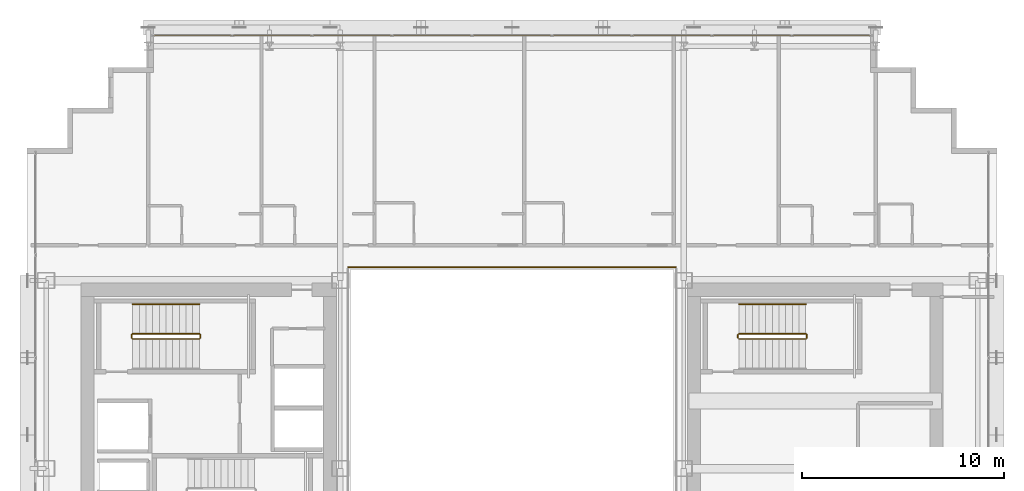
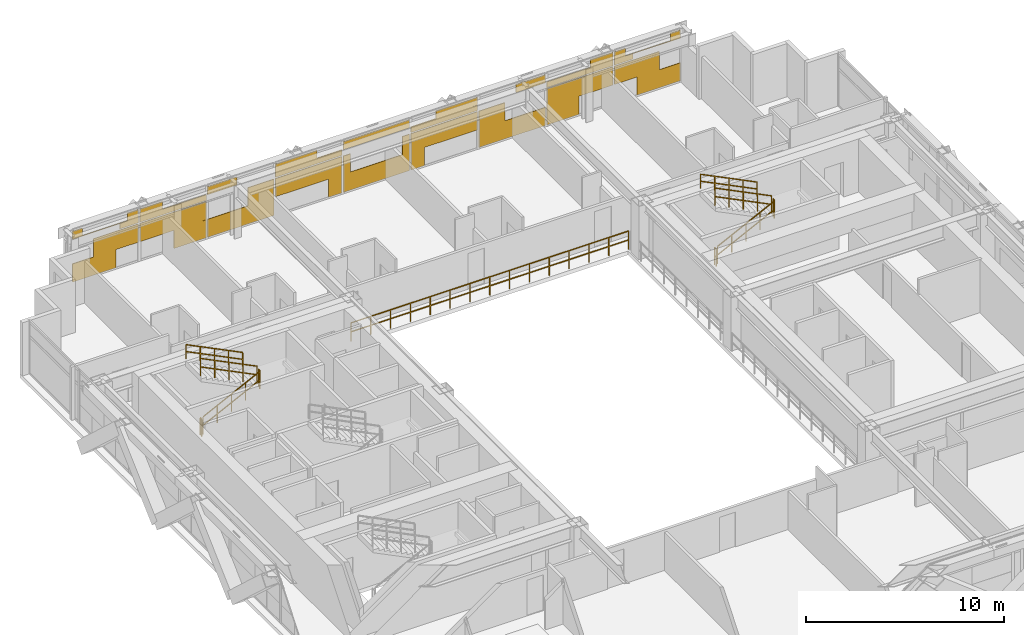
# One storey, part 36 of 36: 11 railings, 1 covering.
"""IFC4 building model written with IfcOpenShell, lengths in metres."""

from ifc_helpers import new_model, si_unit, direction, frame, origin, origin_2d, place, context, subcontext, project, spatial, rectangle, extrude, material, layer, layer_set, type_object, element, save


model = new_model("IFC4")

# Units and contexts
model_context = context("Model", 3, precision=1e-05, world=origin(), true_north=direction((0.0, 1.0)))
body_context = subcontext(model_context, "Body", "Model", "MODEL_VIEW")
ifc_project = project(units=[si_unit("LENGTHUNIT", "METRE"), si_unit("AREAUNIT", "SQUARE_METRE"), si_unit("VOLUMEUNIT", "CUBIC_METRE"), si_unit("PLANEANGLEUNIT", "RADIAN"), si_unit("MASSUNIT", "GRAM", prefix="KILO")], contexts=[model_context])

# Site, building, storey
site_placement = place(None, origin())
site = spatial("IfcSite", under=ifc_project, at=site_placement, CompositionType="ELEMENT")
building_placement = place(site_placement, origin())
building = spatial("IfcBuilding", under=site, at=building_placement, Name="Ocotamira Hotel", CompositionType="ELEMENT")
storey_placement = place(building_placement, frame((0.0, 0.0, 147.60009765625)))
storey = spatial("IfcBuildingStorey", under=building, at=storey_placement, Name="L37", CompositionType="ELEMENT", Elevation=147.60009765625)

# Covering
ifc_material_1 = material(Name="Insulated pale-metal aluminium spandrel panel", Category="aluminium")
ifc_layer = layer(ifc_material_1, 0.044921875)
ifc_layer_set = layer_set([ifc_layer], Name="Insulated pale-metal aluminium spandrel panel")
covering_type = type_object("IfcCoveringType", Name="COV-INFILL-45", PredefinedType="CLADDING", material=ifc_layer_set)
covering_placement = place(storey_placement, origin())
element("IfcCovering", 1, at=covering_placement, inside=storey, type_object=covering_type, Name="L37 Curtain Wall Infill CW-3 CW-L37-N", PredefinedType="CLADDING", context=body_context, shape_type="SweptSolid", body=[
    extrude(rectangle(XDim=2.520751953125, YDim=0.044921875, at=origin_2d()), frame((15.541015625, 49.580078125, 0.075439453125), z_axis=(0.0, 0.0, 1.0), x_axis=(1.0, 0.0, 0.0)), (0.0, 0.0, 1.0), 1.11767578125),
    extrude(rectangle(XDim=2.611328125, YDim=0.044921875, at=origin_2d()), frame((16.809326171875, 49.580078125, 1.19384765625), z_axis=(0.0, 0.0, 1.0), x_axis=(1.0, 0.0, 0.0)), (0.0, 0.0, 1.0), 1.117919921875),
    extrude(rectangle(XDim=3.834716796875, YDim=0.044921875, at=origin_2d()), frame((16.19775390625, 49.580078125, 2.703125), z_axis=(0.0, 0.0, 1.0), x_axis=(1.0, 0.0, 0.0)), (0.0, 0.0, 1.0), 0.026611328125),
    extrude(rectangle(XDim=0.57470703125, YDim=0.044921875, at=origin_2d()), frame((14.56787109375, 49.580078125, 2.730712890625), z_axis=(0.0, 0.0, 1.0), x_axis=(1.0, 0.0, 0.0)), (0.0, 0.0, 1.0), 0.4736328125),
    extrude(rectangle(XDim=1.085205078125, YDim=0.044921875, at=origin_2d()), frame((17.572509765625, 49.580078125, 2.3876953125), z_axis=(0.0, 0.0, 1.0), x_axis=(1.0, 0.0, 0.0)), (0.0, 0.0, 1.0), 0.314208984375),
    extrude(rectangle(XDim=0.64697265625, YDim=0.044921875, at=origin_2d()), frame((17.79150390625, 49.580078125, 2.730712890625), z_axis=(0.0, 0.0, 1.0), x_axis=(1.0, 0.0, 0.0)), (0.0, 0.0, 1.0), 0.4736328125),
    extrude(rectangle(XDim=3.87451171875, YDim=0.044921875, at=origin_2d()), frame((20.13330078125, 49.580078125, 1.19384765625), z_axis=(0.0, 0.0, 1.0), x_axis=(1.0, 0.0, 0.0)), (0.0, 0.0, 1.0), 1.117919921875),
    extrude(rectangle(XDim=1.871826171875, YDim=0.044921875, at=origin_2d()), frame((21.134765625, 49.580078125, 0.075439453125), z_axis=(0.0, 0.0, 1.0), x_axis=(1.0, 0.0, 0.0)), (0.0, 0.0, 1.0), 1.11767578125),
    extrude(rectangle(XDim=3.87451171875, YDim=0.044921875, at=origin_2d()), frame((20.13330078125, 49.580078125, 2.387939453125), z_axis=(0.0, 0.0, 1.0), x_axis=(1.0, 0.0, 0.0)), (0.0, 0.0, 1.0), 0.341796875),
    extrude(rectangle(XDim=1.335693359375, YDim=0.044921875, at=origin_2d()), frame((18.864013671875, 49.580078125, 2.730712890625), z_axis=(0.0, 0.0, 1.0), x_axis=(1.0, 0.0, 0.0)), (0.0, 0.0, 1.0), 0.4736328125),
    extrude(rectangle(XDim=3.87451171875, YDim=0.044921875, at=origin_2d()), frame((24.0888671875, 49.580078125, 0.075439453125), z_axis=(0.0, 0.0, 1.0), x_axis=(1.0, 0.0, 0.0)), (0.0, 0.0, 1.0), 1.11767578125),
    extrude(rectangle(XDim=1.5224609375, YDim=0.044921875, at=origin_2d()), frame((25.264892578125, 49.580078125, 1.19384765625), z_axis=(0.0, 0.0, 1.0), x_axis=(1.0, 0.0, 0.0)), (0.0, 0.0, 1.0), 1.117919921875),
    extrude(rectangle(XDim=1.70361328125, YDim=0.044921875, at=origin_2d()), frame((23.00341796875, 49.580078125, 2.703125), z_axis=(0.0, 0.0, 1.0), x_axis=(1.0, 0.0, 0.0)), (0.0, 0.0, 1.0), 0.501220703125),
    extrude(rectangle(XDim=3.87451171875, YDim=0.044921875, at=origin_2d()), frame((28.04443359375, 49.580078125, 1.19384765625), z_axis=(0.0, 0.0, 1.0), x_axis=(1.0, 0.0, 0.0)), (0.0, 0.0, 1.0), 1.117919921875),
    extrude(rectangle(XDim=0.782958984375, YDim=0.044921875, at=origin_2d()), frame((29.590087890625, 49.580078125, 0.075439453125), z_axis=(0.0, 0.0, 1.0), x_axis=(1.0, 0.0, 0.0)), (0.0, 0.0, 1.0), 1.11767578125),
    extrude(rectangle(XDim=3.87451171875, YDim=0.044921875, at=origin_2d()), frame((28.04443359375, 49.580078125, 2.387939453125), z_axis=(0.0, 0.0, 1.0), x_axis=(1.0, 0.0, 0.0)), (0.0, 0.0, 1.0), 0.341796875),
    extrude(rectangle(XDim=2.424560546875, YDim=0.044921875, at=origin_2d()), frame((27.319580078125, 49.580078125, 2.730712890625), z_axis=(0.0, 0.0, 1.0), x_axis=(1.0, 0.0, 0.0)), (0.0, 0.0, 1.0), 0.4736328125),
    extrude(rectangle(XDim=3.87451171875, YDim=0.044921875, at=origin_2d()), frame((32.0, 49.580078125, 0.075439453125), z_axis=(0.0, 0.0, 1.0), x_axis=(1.0, 0.0, 0.0)), (0.0, 0.0, 1.0), 1.11767578125),
    extrude(rectangle(XDim=0.43359375, YDim=0.044921875, at=origin_2d()), frame((30.279541015625, 49.580078125, 1.19384765625), z_axis=(0.0, 0.0, 1.0), x_axis=(1.0, 0.0, 0.0)), (0.0, 0.0, 1.0), 1.117919921875),
    extrude(rectangle(XDim=0.43359375, YDim=0.044921875, at=origin_2d()), frame((33.720458984375, 49.580078125, 1.19384765625), z_axis=(0.0, 0.0, 1.0), x_axis=(1.0, 0.0, 0.0)), (0.0, 0.0, 1.0), 1.117919921875),
    extrude(rectangle(XDim=3.87451171875, YDim=0.044921875, at=origin_2d()), frame((32.0, 49.580078125, 2.703125), z_axis=(0.0, 0.0, 1.0), x_axis=(1.0, 0.0, 0.0)), (0.0, 0.0, 1.0), 0.501220703125),
    extrude(rectangle(XDim=0.782958984375, YDim=0.044921875, at=origin_2d()), frame((34.409912109375, 49.580078125, 0.075439453125), z_axis=(0.0, 0.0, 1.0), x_axis=(1.0, 0.0, 0.0)), (0.0, 0.0, 1.0), 1.11767578125),
    extrude(rectangle(XDim=3.87451171875, YDim=0.044921875, at=origin_2d()), frame((35.95556640625, 49.580078125, 1.19384765625), z_axis=(0.0, 0.0, 1.0), x_axis=(1.0, 0.0, 0.0)), (0.0, 0.0, 1.0), 1.117919921875),
    extrude(rectangle(XDim=3.87451171875, YDim=0.044921875, at=origin_2d()), frame((35.95556640625, 49.580078125, 2.387939453125), z_axis=(0.0, 0.0, 1.0), x_axis=(1.0, 0.0, 0.0)), (0.0, 0.0, 1.0), 0.341796875),
    extrude(rectangle(XDim=2.424560546875, YDim=0.044921875, at=origin_2d()), frame((36.680419921875, 49.580078125, 2.730712890625), z_axis=(0.0, 0.0, 1.0), x_axis=(1.0, 0.0, 0.0)), (0.0, 0.0, 1.0), 0.4736328125),
    extrude(rectangle(XDim=3.87451171875, YDim=0.044921875, at=origin_2d()), frame((39.9111328125, 49.580078125, 0.075439453125), z_axis=(0.0, 0.0, 1.0), x_axis=(1.0, 0.0, 0.0)), (0.0, 0.0, 1.0), 1.11767578125),
    extrude(rectangle(XDim=1.5224609375, YDim=0.044921875, at=origin_2d()), frame((38.735107421875, 49.580078125, 1.19384765625), z_axis=(0.0, 0.0, 1.0), x_axis=(1.0, 0.0, 0.0)), (0.0, 0.0, 1.0), 1.117919921875),
    extrude(rectangle(XDim=1.70361328125, YDim=0.044921875, at=origin_2d()), frame((40.99658203125, 49.580078125, 2.703125), z_axis=(0.0, 0.0, 1.0), x_axis=(1.0, 0.0, 0.0)), (0.0, 0.0, 1.0), 0.501220703125),
    extrude(rectangle(XDim=1.871826171875, YDim=0.044921875, at=origin_2d()), frame((42.865234375, 49.580078125, 0.075439453125), z_axis=(0.0, 0.0, 1.0), x_axis=(1.0, 0.0, 0.0)), (0.0, 0.0, 1.0), 1.11767578125),
    extrude(rectangle(XDim=3.87451171875, YDim=0.044921875, at=origin_2d()), frame((43.86669921875, 49.580078125, 1.19384765625), z_axis=(0.0, 0.0, 1.0), x_axis=(1.0, 0.0, 0.0)), (0.0, 0.0, 1.0), 1.117919921875),
    extrude(rectangle(XDim=3.87451171875, YDim=0.044921875, at=origin_2d()), frame((43.86669921875, 49.580078125, 2.387939453125), z_axis=(0.0, 0.0, 1.0), x_axis=(1.0, 0.0, 0.0)), (0.0, 0.0, 1.0), 0.341796875),
    extrude(rectangle(XDim=1.335693359375, YDim=0.044921875, at=origin_2d()), frame((45.135986328125, 49.580078125, 2.730712890625), z_axis=(0.0, 0.0, 1.0), x_axis=(1.0, 0.0, 0.0)), (0.0, 0.0, 1.0), 0.4736328125),
    extrude(rectangle(XDim=2.611328125, YDim=0.044921875, at=origin_2d()), frame((47.190673828125, 49.580078125, 1.19384765625), z_axis=(0.0, 0.0, 1.0), x_axis=(1.0, 0.0, 0.0)), (0.0, 0.0, 1.0), 1.117919921875),
    extrude(rectangle(XDim=2.520751953125, YDim=0.044921875, at=origin_2d()), frame((48.458984375, 49.580078125, 0.075439453125), z_axis=(0.0, 0.0, 1.0), x_axis=(1.0, 0.0, 0.0)), (0.0, 0.0, 1.0), 1.11767578125),
    extrude(rectangle(XDim=1.085205078125, YDim=0.044921875, at=origin_2d()), frame((46.427490234375, 49.580078125, 2.3876953125), z_axis=(0.0, 0.0, 1.0), x_axis=(1.0, 0.0, 0.0)), (0.0, 0.0, 1.0), 0.314208984375),
    extrude(rectangle(XDim=3.834716796875, YDim=0.044921875, at=origin_2d()), frame((47.80224609375, 49.580078125, 2.703125), z_axis=(0.0, 0.0, 1.0), x_axis=(1.0, 0.0, 0.0)), (0.0, 0.0, 1.0), 0.026611328125),
    extrude(rectangle(XDim=0.64697265625, YDim=0.044921875, at=origin_2d()), frame((46.20849609375, 49.580078125, 2.730712890625), z_axis=(0.0, 0.0, 1.0), x_axis=(1.0, 0.0, 0.0)), (0.0, 0.0, 1.0), 0.4736328125),
    extrude(rectangle(XDim=0.57470703125, YDim=0.044921875, at=origin_2d()), frame((49.43212890625, 49.580078125, 2.730712890625), z_axis=(0.0, 0.0, 1.0), x_axis=(1.0, 0.0, 0.0)), (0.0, 0.0, 1.0), 0.4736328125),
])

# Railings
ifc_material_2 = material(Name="Painted steel stair guardrail", Category="steel")
railing_type_1 = type_object("IfcRailingType", Name="RL-EDGE-1150", PredefinedType="GUARDRAIL", material=ifc_material_2)
railing_1_placement = place(storey_placement, frame((40.10009765625, 38.1201171875, 0.0)))
element("IfcRailing", 2, at=railing_1_placement, inside=storey, type_object=railing_type_1, Name="L37 Central Atrium Edge Guardrail N", PredefinedType="GUARDRAIL", context=body_context, shape_type="SweptSolid", body=[
    extrude(rectangle(XDim=0.048095703125, YDim=0.048095703125, at=origin_2d()), frame((0.0, 0.0, 1.1259765625), z_axis=(-1.0, 0.0, 0.0), x_axis=(0.0, -1.0, 0.0)), (0.0, 0.0, 1.0), 16.2001953125),
    extrude(rectangle(XDim=0.048095703125, YDim=0.048095703125, at=origin_2d()), frame((0.0, 0.0, 0.574951171875), z_axis=(-1.0, 0.0, 0.0), x_axis=(0.0, -1.0, 0.0)), (0.0, 0.0, 1.0), 16.2001953125),
    extrude(rectangle(XDim=0.0419921875, YDim=0.0419921875, at=origin_2d()), origin(), (0.0, 0.0, 1.0), 1.101806640625),
    extrude(rectangle(XDim=0.0419921875, YDim=0.0419921875, at=origin_2d()), frame((-1.1572265625, 0.0, 0.0)), (0.0, 0.0, 1.0), 1.101806640625),
    extrude(rectangle(XDim=0.0419921875, YDim=0.0419921875, at=origin_2d()), frame((-2.314208984375, 0.0, 0.0)), (0.0, 0.0, 1.0), 1.101806640625),
    extrude(rectangle(XDim=0.0419921875, YDim=0.0419921875, at=origin_2d()), frame((-3.471435546875, 0.0, 0.0)), (0.0, 0.0, 1.0), 1.101806640625),
    extrude(rectangle(XDim=0.0419921875, YDim=0.0419921875, at=origin_2d()), frame((-4.628662109375, 0.0, 0.0)), (0.0, 0.0, 1.0), 1.101806640625),
    extrude(rectangle(XDim=0.0419921875, YDim=0.0419921875, at=origin_2d()), frame((-5.785888671875, 0.0, 0.0)), (0.0, 0.0, 1.0), 1.101806640625),
    extrude(rectangle(XDim=0.0419921875, YDim=0.0419921875, at=origin_2d()), frame((-6.94287109375, 0.0, 0.0)), (0.0, 0.0, 1.0), 1.101806640625),
    extrude(rectangle(XDim=0.0419921875, YDim=0.0419921875, at=origin_2d()), frame((-8.10009765625, 0.0, 0.0)), (0.0, 0.0, 1.0), 1.101806640625),
    extrude(rectangle(XDim=0.0419921875, YDim=0.0419921875, at=origin_2d()), frame((-9.25732421875, 0.0, 0.0)), (0.0, 0.0, 1.0), 1.101806640625),
    extrude(rectangle(XDim=0.0419921875, YDim=0.0419921875, at=origin_2d()), frame((-10.414306640625, 0.0, 0.0)), (0.0, 0.0, 1.0), 1.101806640625),
    extrude(rectangle(XDim=0.0419921875, YDim=0.0419921875, at=origin_2d()), frame((-11.571533203125, 0.0, 0.0)), (0.0, 0.0, 1.0), 1.101806640625),
    extrude(rectangle(XDim=0.0419921875, YDim=0.0419921875, at=origin_2d()), frame((-12.728759765625, 0.0, 0.0)), (0.0, 0.0, 1.0), 1.101806640625),
    extrude(rectangle(XDim=0.0419921875, YDim=0.0419921875, at=origin_2d()), frame((-13.885986328125, 0.0, 0.0)), (0.0, 0.0, 1.0), 1.101806640625),
    extrude(rectangle(XDim=0.0419921875, YDim=0.0419921875, at=origin_2d()), frame((-15.04296875, 0.0, 0.0)), (0.0, 0.0, 1.0), 1.101806640625),
    extrude(rectangle(XDim=0.0419921875, YDim=0.0419921875, at=origin_2d()), frame((-16.2001953125, 0.0, 0.0)), (0.0, 0.0, 1.0), 1.101806640625),
])
ifc_material_3 = material(Name="Brushed stainless steel handrail", Category="steel")
railing_type_2 = type_object("IfcRailingType", Name="RL-HAND-900", PredefinedType="HANDRAIL", material=ifc_material_3)
for number, where, name in (
    (3, (16.530029296875, 36.280029296875, 2.127197265625), "L37 ST-2 stair handrail 2"),
    (4, (46.530029296875, 36.280029296875, 2.127197265625), "L37 ST-4 stair handrail 2"),
):
    element("IfcRailing", number, at=place(storey_placement, frame(where)), inside=storey, type_object=railing_type_2, Name=name, PredefinedType="HANDRAIL", context=body_context, shape_type="SweptSolid", body=[
        extrude(rectangle(XDim=0.048095703125, YDim=0.048095703125, at=origin_2d()), frame((0.0, 0.0, 0.8759765625), z_axis=(-0.895920123917, 0.0, 0.444215186098), x_axis=(0.0, -1.0, 0.0)), (0.0, 0.0, 1.0), 3.683349609375),
        extrude(rectangle(XDim=0.048095703125, YDim=0.048095703125, at=origin_2d()), frame((0.0, 0.0, 0.449951171875), z_axis=(-0.895920123917, 0.0, 0.444215186098), x_axis=(0.0, -1.0, 0.0)), (0.0, 0.0, 1.0), 3.683349609375),
        extrude(rectangle(XDim=0.0419921875, YDim=0.0419921875, at=origin_2d()), origin(), (0.0, 0.0, 1.0), 0.851806640625),
        extrude(rectangle(XDim=0.0419921875, YDim=0.0419921875, at=origin_2d()), frame((-0.824951171875, 0.0, 0.4091796875)), (0.0, 0.0, 1.0), 0.851806640625),
        extrude(rectangle(XDim=0.0419921875, YDim=0.0419921875, at=origin_2d()), frame((-1.64990234375, 0.0, 0.818115234375)), (0.0, 0.0, 1.0), 0.851806640625),
        extrude(rectangle(XDim=0.0419921875, YDim=0.0419921875, at=origin_2d()), frame((-2.47509765625, 0.0, 1.22705078125)), (0.0, 0.0, 1.0), 0.851806640625),
        extrude(rectangle(XDim=0.0419921875, YDim=0.0419921875, at=origin_2d()), frame((-3.300048828125, 0.0, 1.63623046875)), (0.0, 0.0, 1.0), 0.851806640625),
    ])
railing_type_3 = type_object("IfcRailingType", Name="RL-STAIR-1100", PredefinedType="GUARDRAIL", material=ifc_material_2)
railing_2_placement = place(storey_placement, frame((13.22998046875, 34.56005859375, 0.16357421875)))
element("IfcRailing", 5, at=railing_2_placement, inside=storey, type_object=railing_type_3, Name="L37 ST-2 stair guard 1", PredefinedType="GUARDRAIL", context=body_context, shape_type="SweptSolid", body=[
    extrude(rectangle(XDim=0.048095703125, YDim=0.048095703125, at=origin_2d()), frame((0.0, 0.0, 1.076171875), z_axis=(0.895920123917, 0.0, 0.444215186098), x_axis=(0.0, 1.0, 0.0)), (0.0, 0.0, 1.0), 3.683349609375),
    extrude(rectangle(XDim=0.048095703125, YDim=0.048095703125, at=origin_2d()), frame((0.0, 0.0, 0.550048828125), z_axis=(0.895920123917, 0.0, 0.444215186098), x_axis=(0.0, 1.0, 0.0)), (0.0, 0.0, 1.0), 3.683349609375),
    extrude(rectangle(XDim=0.0419921875, YDim=0.0419921875, at=origin_2d()), origin(), (0.0, 0.0, 1.0), 1.052001953125),
    extrude(rectangle(XDim=0.0419921875, YDim=0.0419921875, at=origin_2d()), frame((0.824951171875, 0.0, 0.4091796875)), (0.0, 0.0, 1.0), 1.052001953125),
    extrude(rectangle(XDim=0.0419921875, YDim=0.0419921875, at=origin_2d()), frame((1.64990234375, 0.0, 0.818115234375)), (0.0, 0.0, 1.0), 1.052001953125),
    extrude(rectangle(XDim=0.0419921875, YDim=0.0419921875, at=origin_2d()), frame((2.47509765625, 0.0, 1.22705078125)), (0.0, 0.0, 1.0), 1.052001953125),
    extrude(rectangle(XDim=0.0419921875, YDim=0.0419921875, at=origin_2d()), frame((3.300048828125, 0.0, 1.63623046875)), (0.0, 0.0, 1.0), 1.052001953125),
])
railing_3_placement = place(storey_placement, frame((16.580078125, 34.610107421875, 1.7998046875)))
element("IfcRailing", 6, at=railing_3_placement, inside=storey, type_object=railing_type_3, Name="L37 ST-2 stair guard 2", PredefinedType="GUARDRAIL", context=body_context, shape_type="SweptSolid", body=[
    extrude(rectangle(XDim=0.048095703125, YDim=0.048095703125, at=origin_2d()), frame((0.0, 0.0, 1.076171875), z_axis=(0.0, 1.0, 0.0), x_axis=(-1.0, 0.0, 0.0)), (0.0, 0.0, 1.0), 0.159912109375),
    extrude(rectangle(XDim=0.048095703125, YDim=0.048095703125, at=origin_2d()), frame((0.0, 0.0, 0.550048828125), z_axis=(0.0, 1.0, 0.0), x_axis=(-1.0, 0.0, 0.0)), (0.0, 0.0, 1.0), 0.159912109375),
    extrude(rectangle(XDim=0.0419921875, YDim=0.0419921875, at=origin_2d()), origin(), (0.0, 0.0, 1.0), 1.052001953125),
    extrude(rectangle(XDim=0.0419921875, YDim=0.0419921875, at=origin_2d()), frame((0.0, 0.159912109375, 0.0)), (0.0, 0.0, 1.0), 1.052001953125),
])
railing_4_placement = place(storey_placement, frame((16.530029296875, 34.820068359375, 1.963623046875)))
element("IfcRailing", 7, at=railing_4_placement, inside=storey, type_object=railing_type_3, Name="L37 ST-2 stair guard 3", PredefinedType="GUARDRAIL", context=body_context, shape_type="SweptSolid", body=[
    extrude(rectangle(XDim=0.048095703125, YDim=0.048095703125, at=origin_2d()), frame((0.0, 0.0, 1.076171875), z_axis=(-0.895920123917, 0.0, 0.444215186098), x_axis=(0.0, -1.0, 0.0)), (0.0, 0.0, 1.0), 3.683349609375),
    extrude(rectangle(XDim=0.048095703125, YDim=0.048095703125, at=origin_2d()), frame((0.0, 0.0, 0.550048828125), z_axis=(-0.895920123917, 0.0, 0.444215186098), x_axis=(0.0, -1.0, 0.0)), (0.0, 0.0, 1.0), 3.683349609375),
    extrude(rectangle(XDim=0.0419921875, YDim=0.0419921875, at=origin_2d()), origin(), (0.0, 0.0, 1.0), 1.052001953125),
    extrude(rectangle(XDim=0.0419921875, YDim=0.0419921875, at=origin_2d()), frame((-0.824951171875, 0.0, 0.4091796875)), (0.0, 0.0, 1.0), 1.052001953125),
    extrude(rectangle(XDim=0.0419921875, YDim=0.0419921875, at=origin_2d()), frame((-1.64990234375, 0.0, 0.818115234375)), (0.0, 0.0, 1.0), 1.052001953125),
    extrude(rectangle(XDim=0.0419921875, YDim=0.0419921875, at=origin_2d()), frame((-2.47509765625, 0.0, 1.22705078125)), (0.0, 0.0, 1.0), 1.052001953125),
    extrude(rectangle(XDim=0.0419921875, YDim=0.0419921875, at=origin_2d()), frame((-3.300048828125, 0.0, 1.63623046875)), (0.0, 0.0, 1.0), 1.052001953125),
])
railing_5_placement = place(storey_placement, frame((13.179931640625, 34.610107421875, 0.0)))
element("IfcRailing", 8, at=railing_5_placement, inside=storey, type_object=railing_type_3, Name="L37 ST-2 stair guard 4", PredefinedType="GUARDRAIL", context=body_context, shape_type="SweptSolid", body=[
    extrude(rectangle(XDim=0.048095703125, YDim=0.048095703125, at=origin_2d()), frame((0.0, 0.0, 1.076171875), z_axis=(0.0, 1.0, 0.0), x_axis=(-1.0, 0.0, 0.0)), (0.0, 0.0, 1.0), 0.159912109375),
    extrude(rectangle(XDim=0.048095703125, YDim=0.048095703125, at=origin_2d()), frame((0.0, 0.0, 0.550048828125), z_axis=(0.0, 1.0, 0.0), x_axis=(-1.0, 0.0, 0.0)), (0.0, 0.0, 1.0), 0.159912109375),
    extrude(rectangle(XDim=0.0419921875, YDim=0.0419921875, at=origin_2d()), origin(), (0.0, 0.0, 1.0), 1.052001953125),
    extrude(rectangle(XDim=0.0419921875, YDim=0.0419921875, at=origin_2d()), frame((0.0, 0.159912109375, 0.0)), (0.0, 0.0, 1.0), 1.052001953125),
])
railing_6_placement = place(storey_placement, frame((43.22998046875, 34.56005859375, 0.16357421875)))
element("IfcRailing", 9, at=railing_6_placement, inside=storey, type_object=railing_type_3, Name="L37 ST-4 stair guard 1", PredefinedType="GUARDRAIL", context=body_context, shape_type="SweptSolid", body=[
    extrude(rectangle(XDim=0.048095703125, YDim=0.048095703125, at=origin_2d()), frame((0.0, 0.0, 1.076171875), z_axis=(0.895920123917, 0.0, 0.444215186098), x_axis=(0.0, 1.0, 0.0)), (0.0, 0.0, 1.0), 3.683349609375),
    extrude(rectangle(XDim=0.048095703125, YDim=0.048095703125, at=origin_2d()), frame((0.0, 0.0, 0.550048828125), z_axis=(0.895920123917, 0.0, 0.444215186098), x_axis=(0.0, 1.0, 0.0)), (0.0, 0.0, 1.0), 3.683349609375),
    extrude(rectangle(XDim=0.0419921875, YDim=0.0419921875, at=origin_2d()), origin(), (0.0, 0.0, 1.0), 1.052001953125),
    extrude(rectangle(XDim=0.0419921875, YDim=0.0419921875, at=origin_2d()), frame((0.824951171875, 0.0, 0.4091796875)), (0.0, 0.0, 1.0), 1.052001953125),
    extrude(rectangle(XDim=0.0419921875, YDim=0.0419921875, at=origin_2d()), frame((1.64990234375, 0.0, 0.818115234375)), (0.0, 0.0, 1.0), 1.052001953125),
    extrude(rectangle(XDim=0.0419921875, YDim=0.0419921875, at=origin_2d()), frame((2.47509765625, 0.0, 1.22705078125)), (0.0, 0.0, 1.0), 1.052001953125),
    extrude(rectangle(XDim=0.0419921875, YDim=0.0419921875, at=origin_2d()), frame((3.300048828125, 0.0, 1.63623046875)), (0.0, 0.0, 1.0), 1.052001953125),
])
railing_7_placement = place(storey_placement, frame((46.580078125, 34.610107421875, 1.7998046875)))
element("IfcRailing", 10, at=railing_7_placement, inside=storey, type_object=railing_type_3, Name="L37 ST-4 stair guard 2", PredefinedType="GUARDRAIL", context=body_context, shape_type="SweptSolid", body=[
    extrude(rectangle(XDim=0.048095703125, YDim=0.048095703125, at=origin_2d()), frame((0.0, 0.0, 1.076171875), z_axis=(0.0, 1.0, 0.0), x_axis=(-1.0, 0.0, 0.0)), (0.0, 0.0, 1.0), 0.159912109375),
    extrude(rectangle(XDim=0.048095703125, YDim=0.048095703125, at=origin_2d()), frame((0.0, 0.0, 0.550048828125), z_axis=(0.0, 1.0, 0.0), x_axis=(-1.0, 0.0, 0.0)), (0.0, 0.0, 1.0), 0.159912109375),
    extrude(rectangle(XDim=0.0419921875, YDim=0.0419921875, at=origin_2d()), origin(), (0.0, 0.0, 1.0), 1.052001953125),
    extrude(rectangle(XDim=0.0419921875, YDim=0.0419921875, at=origin_2d()), frame((0.0, 0.159912109375, 0.0)), (0.0, 0.0, 1.0), 1.052001953125),
])
railing_8_placement = place(storey_placement, frame((46.530029296875, 34.820068359375, 1.963623046875)))
element("IfcRailing", 11, at=railing_8_placement, inside=storey, type_object=railing_type_3, Name="L37 ST-4 stair guard 3", PredefinedType="GUARDRAIL", context=body_context, shape_type="SweptSolid", body=[
    extrude(rectangle(XDim=0.048095703125, YDim=0.048095703125, at=origin_2d()), frame((0.0, 0.0, 1.076171875), z_axis=(-0.895920123917, 0.0, 0.444215186098), x_axis=(0.0, -1.0, 0.0)), (0.0, 0.0, 1.0), 3.683349609375),
    extrude(rectangle(XDim=0.048095703125, YDim=0.048095703125, at=origin_2d()), frame((0.0, 0.0, 0.550048828125), z_axis=(-0.895920123917, 0.0, 0.444215186098), x_axis=(0.0, -1.0, 0.0)), (0.0, 0.0, 1.0), 3.683349609375),
    extrude(rectangle(XDim=0.0419921875, YDim=0.0419921875, at=origin_2d()), origin(), (0.0, 0.0, 1.0), 1.052001953125),
    extrude(rectangle(XDim=0.0419921875, YDim=0.0419921875, at=origin_2d()), frame((-0.824951171875, 0.0, 0.4091796875)), (0.0, 0.0, 1.0), 1.052001953125),
    extrude(rectangle(XDim=0.0419921875, YDim=0.0419921875, at=origin_2d()), frame((-1.64990234375, 0.0, 0.818115234375)), (0.0, 0.0, 1.0), 1.052001953125),
    extrude(rectangle(XDim=0.0419921875, YDim=0.0419921875, at=origin_2d()), frame((-2.47509765625, 0.0, 1.22705078125)), (0.0, 0.0, 1.0), 1.052001953125),
    extrude(rectangle(XDim=0.0419921875, YDim=0.0419921875, at=origin_2d()), frame((-3.300048828125, 0.0, 1.63623046875)), (0.0, 0.0, 1.0), 1.052001953125),
])
railing_9_placement = place(storey_placement, frame((43.179931640625, 34.610107421875, 0.0)))
element("IfcRailing", 12, at=railing_9_placement, inside=storey, type_object=railing_type_3, Name="L37 ST-4 stair guard 4", PredefinedType="GUARDRAIL", context=body_context, shape_type="SweptSolid", body=[
    extrude(rectangle(XDim=0.048095703125, YDim=0.048095703125, at=origin_2d()), frame((0.0, 0.0, 1.076171875), z_axis=(0.0, 1.0, 0.0), x_axis=(-1.0, 0.0, 0.0)), (0.0, 0.0, 1.0), 0.159912109375),
    extrude(rectangle(XDim=0.048095703125, YDim=0.048095703125, at=origin_2d()), frame((0.0, 0.0, 0.550048828125), z_axis=(0.0, 1.0, 0.0), x_axis=(-1.0, 0.0, 0.0)), (0.0, 0.0, 1.0), 0.159912109375),
    extrude(rectangle(XDim=0.0419921875, YDim=0.0419921875, at=origin_2d()), origin(), (0.0, 0.0, 1.0), 1.052001953125),
    extrude(rectangle(XDim=0.0419921875, YDim=0.0419921875, at=origin_2d()), frame((0.0, 0.159912109375, 0.0)), (0.0, 0.0, 1.0), 1.052001953125),
])

save(model, "model.ifc")
